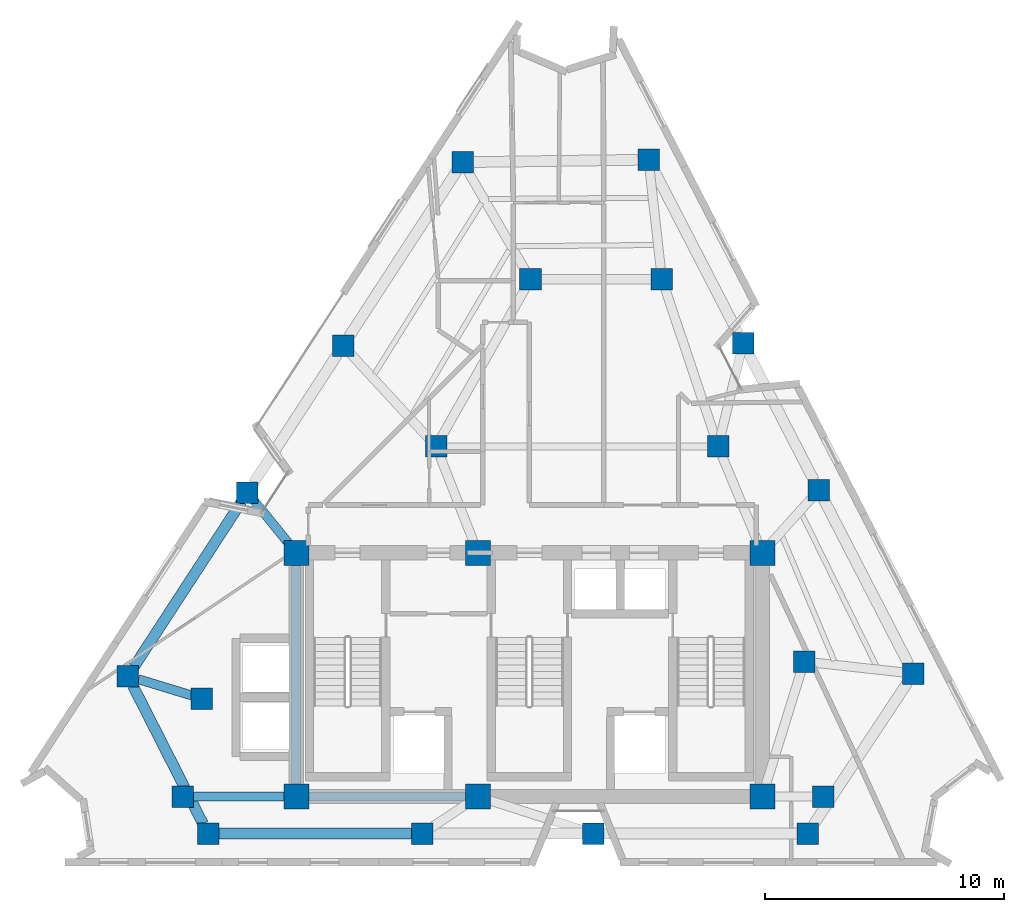
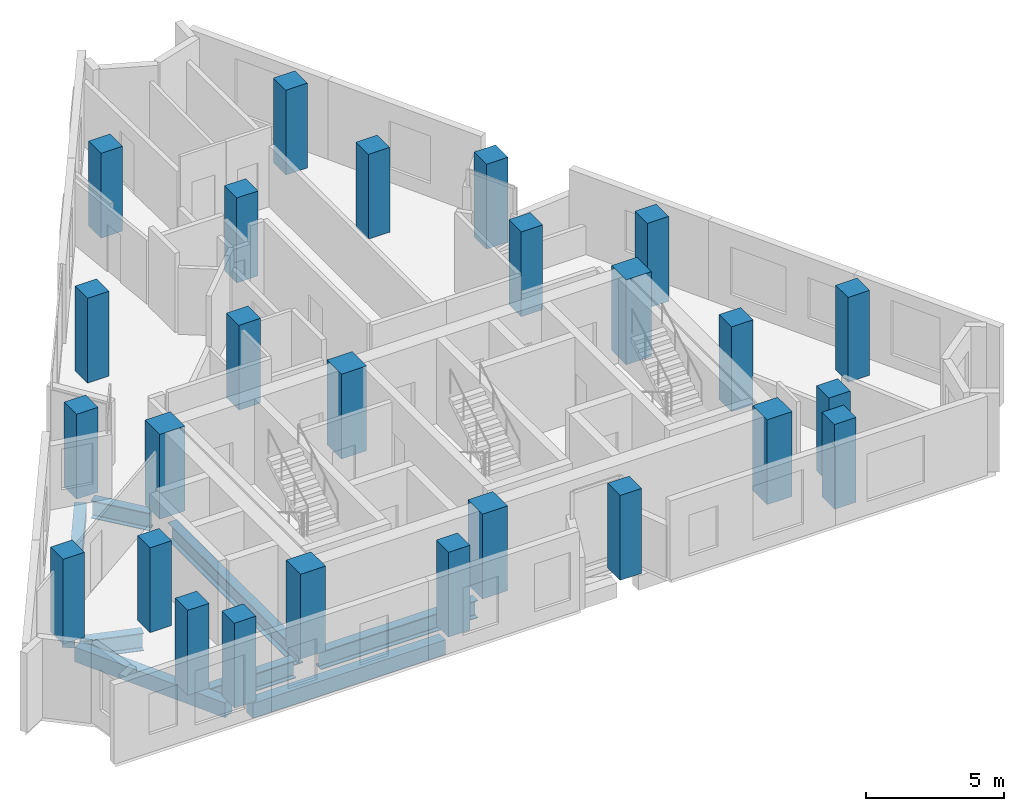
# One storey, part 1 of 9: 26 columns, 8 beams.
"""IFC4 building model written with IfcOpenShell, lengths in metres."""

from ifc_helpers import new_model, si_unit, direction, frame, origin, origin_2d, place, context, subcontext, project, spatial, rectangle, i_section, extrude, material, material_profile, profile_set, type_object, element, save


model = new_model("IFC4")

# Units and contexts
model_context = context("Model", 3, precision=1e-05, world=origin(), true_north=direction((0.0, 1.0)))
body_context = subcontext(model_context, "Body", "Model", "MODEL_VIEW")
ifc_project = project(units=[si_unit("LENGTHUNIT", "METRE"), si_unit("AREAUNIT", "SQUARE_METRE"), si_unit("VOLUMEUNIT", "CUBIC_METRE"), si_unit("PLANEANGLEUNIT", "RADIAN"), si_unit("MASSUNIT", "GRAM", prefix="KILO")], contexts=[model_context])

# Site, building, storey
site_placement = place(None, origin())
site = spatial("IfcSite", under=ifc_project, at=site_placement, CompositionType="ELEMENT")
building_placement = place(site_placement, origin())
building = spatial("IfcBuilding", under=site, at=building_placement, Name="Almagre Mirador Tower", CompositionType="ELEMENT")
storey_placement = place(building_placement, frame((0.0, 0.0, 225.75)))
storey = spatial("IfcBuildingStorey", under=building, at=storey_placement, Name="L58", CompositionType="ELEMENT", Elevation=225.75)

# Columns
ifc_material_1 = material(Name="Concrete C60/75", Category="concrete")
ifc_material_profile_1 = material_profile(ifc_material_1, rectangle(XDim=1.050048828125, YDim=1.050048828125, at=origin_2d()), Name="RC1050X1050")
ifc_profile_set_1 = profile_set([ifc_material_profile_1], Name="Concrete C60/75")
column_type_1 = type_object("IfcColumnType", Name="COL-RC1050", PredefinedType="COLUMN", material=ifc_profile_set_1)
for number, where, z_axis, x_axis, name in (
    (1, (27.550048828125, 4.550048828125, 0.0), (0.0, 0.0, 1.0), (1.0, 0.0, 0.0), "L58 core spine column CC1"),
    (2, (35.14990234375, 4.550048828125, 0.0), (0.0, 0.0, 1.0), (1.0, 0.0, 0.0), "L58 core spine column CC2"),
    (3, (47.050048828125, 4.550048828125, 0.0), (0.0, 0.0, 1.0), (1.0, 0.0, 0.0), "L58 core spine column CC3"),
    (4, (27.550048828125, 14.75, 0.0), (0.0, 0.0, 1.0), (1.0, 0.0, 0.0), "L58 core spine column CC4"),
    (5, (35.14990234375, 14.75, 0.0), (0.0, 0.0, 1.0), (1.0, 0.0, 0.0), "L58 core spine column CC5"),
    (6, (47.050048828125, 14.75, 0.0), (0.0, 0.0, 1.0), (1.0, 0.0, 0.0), "L58 core spine column CC6"),
):
    element("IfcColumn", number, at=place(storey_placement, frame(where, z_axis=z_axis, x_axis=x_axis)), inside=storey, type_object=column_type_1, Name=name, PredefinedType="COLUMN", context=body_context, shape_type="SweptSolid", body=[
        extrude(rectangle(XDim=1.050048828125, YDim=1.050048828125, at=origin_2d()), origin(), (0.0, 0.0, 1.0), 3.75),
    ])
ifc_material_2 = material(Name="Concrete C60/75", Category="concrete")
ifc_material_profile_2 = material_profile(ifc_material_2, rectangle(XDim=0.89990234375, YDim=0.89990234375, at=origin_2d()), Name="RC900X900")
ifc_profile_set_2 = profile_set([ifc_material_profile_2], Name="Concrete C60/75")
column_type_2 = type_object("IfcColumnType", Name="COL-RC900", PredefinedType="COLUMN", material=ifc_profile_set_2)
for number, where, z_axis, x_axis, name in (
    (7, (22.800048828125, 4.550048828125, 0.0), (0.0, 0.0, 1.0), (1.0, 0.0, 0.0), "L58 interior transfer column MC1"),
    (8, (49.60009765625, 4.550048828125, 0.0), (0.0, 0.0, 1.0), (1.0, 0.0, 0.0), "L58 interior transfer column MC2"),
    (9, (48.800048828125, 10.199951171875, 0.0), (0.0, 0.0, 1.0), (1.0, 0.0, 0.0), "L58 interior transfer column MC3"),
    (10, (45.199951171875, 19.199951171875, 0.0), (0.0, 0.0, 1.0), (1.0, 0.0, 0.0), "L58 interior transfer column MC5"),
    (11, (42.85009765625, 26.199951171875, 0.0), (0.0, 0.0, 1.0), (1.0, 0.0, 0.0), "L58 interior transfer column MC6"),
    (12, (37.35009765625, 26.199951171875, 0.0), (0.0, 0.0, 1.0), (1.0, 0.0, 0.0), "L58 interior transfer column MC7"),
    (13, (33.39990234375, 19.199951171875, 0.0), (0.0, 0.0, 1.0), (1.0, 0.0, 0.0), "L58 interior transfer column MC8"),
    (14, (23.60009765625, 8.64990234375, 0.0), (0.0, 0.0, 1.0), (1.0, 0.0, 0.0), "L58 interior transfer column MC10"),
    (15, (23.85595703125, 3.0, 0.0), (0.0, 0.0, 1.0), (1.0, 0.0, 0.0), "L58 perimeter column PC01"),
    (16, (32.81591796875, 3.0, 0.0), (0.0, 0.0, 1.0), (1.0, 0.0, 0.0), "L58 perimeter column PC02"),
    (17, (39.98388671875, 3.0, 0.0), (0.0, 0.0, 1.0), (1.0, 0.0, 0.0), "L58 perimeter column PC03"),
    (18, (48.944091796875, 3.0, 0.0), (0.0, 0.0, 1.0), (1.0, 0.0, 0.0), "L58 perimeter column PC04"),
    (19, (53.376953125, 9.697998046875, 0.0), (0.0, 0.0, 1.0), (1.0, 0.0, 0.0), "L58 perimeter column PC05"),
    (20, (49.4169921875, 17.3779296875, 0.0), (0.0, 0.0, 1.0), (1.0, 0.0, 0.0), "L58 perimeter column PC06"),
    (21, (46.2490234375, 23.52197265625, 0.0), (0.0, 0.0, 1.0), (1.0, 0.0, 0.0), "L58 perimeter column PC07"),
    (22, (42.2890625, 31.201904296875, 0.0), (0.0, 0.0, 1.0), (1.0, 0.0, 0.0), "L58 perimeter column PC08"),
    (23, (34.506103515625, 31.096923828125, 0.0), (0.0, 0.0, 1.0), (1.0, 0.0, 0.0), "L58 perimeter column PC09"),
    (24, (29.506103515625, 23.4169921875, 0.0), (0.0, 0.0, 1.0), (1.0, 0.0, 0.0), "L58 perimeter column PC10"),
    (25, (25.506103515625, 17.27294921875, 0.0), (0.0, 0.0, 1.0), (1.0, 0.0, 0.0), "L58 perimeter column PC11"),
    (26, (20.506103515625, 9.593017578125, 0.0), (0.0, 0.0, 1.0), (1.0, 0.0, 0.0), "L58 perimeter column PC12"),
):
    element("IfcColumn", number, at=place(storey_placement, frame(where, z_axis=z_axis, x_axis=x_axis)), inside=storey, type_object=column_type_2, Name=name, PredefinedType="COLUMN", context=body_context, shape_type="SweptSolid", body=[
        extrude(rectangle(XDim=0.89990234375, YDim=0.89990234375, at=origin_2d()), origin(), (0.0, 0.0, 1.0), 3.75),
    ])

# Beams
ifc_material_3 = material(Name="Precast concrete C50/60", Category="concrete")
ifc_material_profile_3 = material_profile(ifc_material_3, rectangle(XDim=0.449951171875, YDim=0.64990234375, at=origin_2d()), Name="RC450X650")
ifc_profile_set_3 = profile_set([ifc_material_profile_3], Name="Precast concrete C50/60")
beam_type_1 = type_object("IfcBeamType", Name="BM-SPN-RC450X650", PredefinedType="SPANDREL", material=ifc_profile_set_3)
beam_1_placement = place(storey_placement, frame((24.305908203125, 3.0, -0.574951171875), z_axis=(1.0, 0.0, 0.0), x_axis=(0.0, 1.0, 0.0)))
element("IfcBeam", 27, at=beam_1_placement, inside=storey, type_object=beam_type_1, Name="L58 perimeter spandrel beam PC01-PC02", PredefinedType="SPANDREL", context=body_context, shape_type="SweptSolid", body=[
    extrude(rectangle(XDim=0.449951171875, YDim=0.64990234375, at=origin_2d()), origin(), (0.0, 0.0, 1.0), 8.06005859375),
])
beam_2_placement = place(storey_placement, frame((25.260498046875, 16.89599609375, -0.574951171875), z_axis=(-0.545607073801, -0.838041121317, 0.0), x_axis=(0.838041121317, -0.545607073801, 0.0)))
element("IfcBeam", 28, at=beam_2_placement, inside=storey, type_object=beam_type_1, Name="L58 perimeter spandrel beam PC11-PC12", PredefinedType="SPANDREL", context=body_context, shape_type="SweptSolid", body=[
    extrude(rectangle(XDim=0.449951171875, YDim=0.64990234375, at=origin_2d()), origin(), (0.0, 0.0, 1.0), 8.26416015625),
])
beam_3_placement = place(storey_placement, frame((20.709716796875, 9.19189453125, -0.574951171875), z_axis=(0.452992552256, -0.891514300278, 0.0), x_axis=(0.891514300278, 0.452992552256, 0.0)))
element("IfcBeam", 29, at=beam_3_placement, inside=storey, type_object=beam_type_1, Name="L58 perimeter spandrel beam PC12-PC01", PredefinedType="SPANDREL", context=body_context, shape_type="SweptSolid", body=[
    extrude(rectangle(XDim=0.449951171875, YDim=0.64990234375, at=origin_2d()), origin(), (0.0, 0.0, 1.0), 6.495361328125),
])
ifc_material_4 = material(Name="Steel ASTM A992 Grade 50", Category="steel")
ifc_material_profile_4 = material_profile(ifc_material_4, i_section(OverallWidth=0.384033203125, OverallDepth=0.784912109375, WebThickness=0.019775390625, FlangeThickness=0.033447265625, FilletRadius=0.02392578125, at=origin_2d()), Name="W30X211")
ifc_profile_set_4 = profile_set([ifc_material_profile_4], Name="Steel ASTM A992 Grade 50")
beam_type_2 = type_object("IfcBeamType", Name="BM-STL-W30X211", PredefinedType="BEAM", material=ifc_profile_set_4)
beam_4_placement = place(storey_placement, frame((28.074951171875, 4.550048828125, -0.642578125), z_axis=(1.0, 0.0, 0.0), x_axis=(0.0, 1.0, 0.0)))
element("IfcBeam", 30, at=beam_4_placement, inside=storey, type_object=beam_type_2, Name="L58 core tie girder CC1-CC2", PredefinedType="BEAM", context=body_context, shape_type="SweptSolid", body=[
    extrude(i_section(OverallWidth=0.384033203125, OverallDepth=0.784912109375, WebThickness=0.019775390625, FlangeThickness=0.033447265625, FilletRadius=0.02392578125, at=origin_2d()), origin(), (0.0, 0.0, 1.0), 6.550048828125),
])
beam_5_placement = place(storey_placement, frame((27.550048828125, 5.074951171875, -0.642578125), z_axis=(0.0, 1.0, 0.0), x_axis=(-1.0, 0.0, 0.0)))
element("IfcBeam", 31, at=beam_5_placement, inside=storey, type_object=beam_type_2, Name="L58 core tie girder CC1-CC4", PredefinedType="BEAM", context=body_context, shape_type="SweptSolid", body=[
    extrude(i_section(OverallWidth=0.384033203125, OverallDepth=0.784912109375, WebThickness=0.019775390625, FlangeThickness=0.033447265625, FilletRadius=0.02392578125, at=origin_2d()), origin(), (0.0, 0.0, 1.0), 9.150146484375),
])
beam_6_placement = place(storey_placement, frame((23.25, 4.550048828125, -0.642578125), z_axis=(1.0, 0.0, 0.0), x_axis=(0.0, 1.0, 0.0)))
element("IfcBeam", 32, at=beam_6_placement, inside=storey, type_object=beam_type_2, Name="L58 core tie girder MC1-CC1", PredefinedType="BEAM", context=body_context, shape_type="SweptSolid", body=[
    extrude(i_section(OverallWidth=0.384033203125, OverallDepth=0.784912109375, WebThickness=0.019775390625, FlangeThickness=0.033447265625, FilletRadius=0.02392578125, at=origin_2d()), origin(), (0.0, 0.0, 1.0), 3.77490234375),
])
beam_7_placement = place(storey_placement, frame((25.789306640625, 16.92333984375, -0.642578125), z_axis=(0.629479487661, -0.777017100593, 0.0), x_axis=(0.777017100593, 0.629479487661, 0.0)))
element("IfcBeam", 33, at=beam_7_placement, inside=storey, type_object=beam_type_2, Name="L58 radial floor girder PC11-CC4", PredefinedType="BEAM", context=body_context, shape_type="SweptSolid", body=[
    extrude(i_section(OverallWidth=0.384033203125, OverallDepth=0.784912109375, WebThickness=0.019775390625, FlangeThickness=0.033447265625, FilletRadius=0.02392578125, at=origin_2d()), origin(), (0.0, 0.0, 1.0), 2.27197265625),
])
beam_8_placement = place(storey_placement, frame((20.9365234375, 9.4619140625, -0.642578125), z_axis=(0.956544591639, -0.291586083697, 0.0), x_axis=(0.291586083697, 0.956544591639, 0.0)))
element("IfcBeam", 34, at=beam_8_placement, inside=storey, type_object=beam_type_2, Name="L58 radial floor girder PC12-MC10", PredefinedType="BEAM", context=body_context, shape_type="SweptSolid", body=[
    extrude(i_section(OverallWidth=0.384033203125, OverallDepth=0.784912109375, WebThickness=0.019775390625, FlangeThickness=0.033447265625, FilletRadius=0.02392578125, at=origin_2d()), origin(), (0.0, 0.0, 1.0), 2.334228515625),
])

save(model, "model.ifc")
